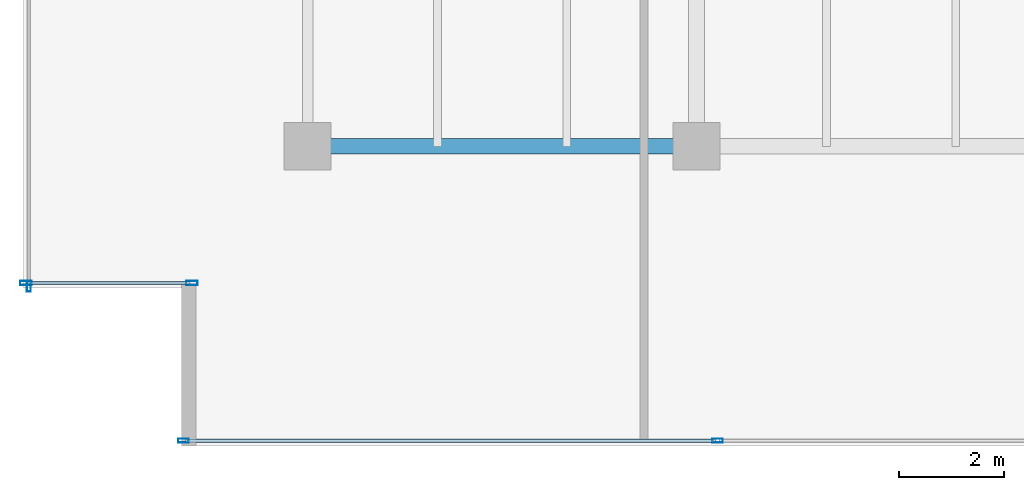
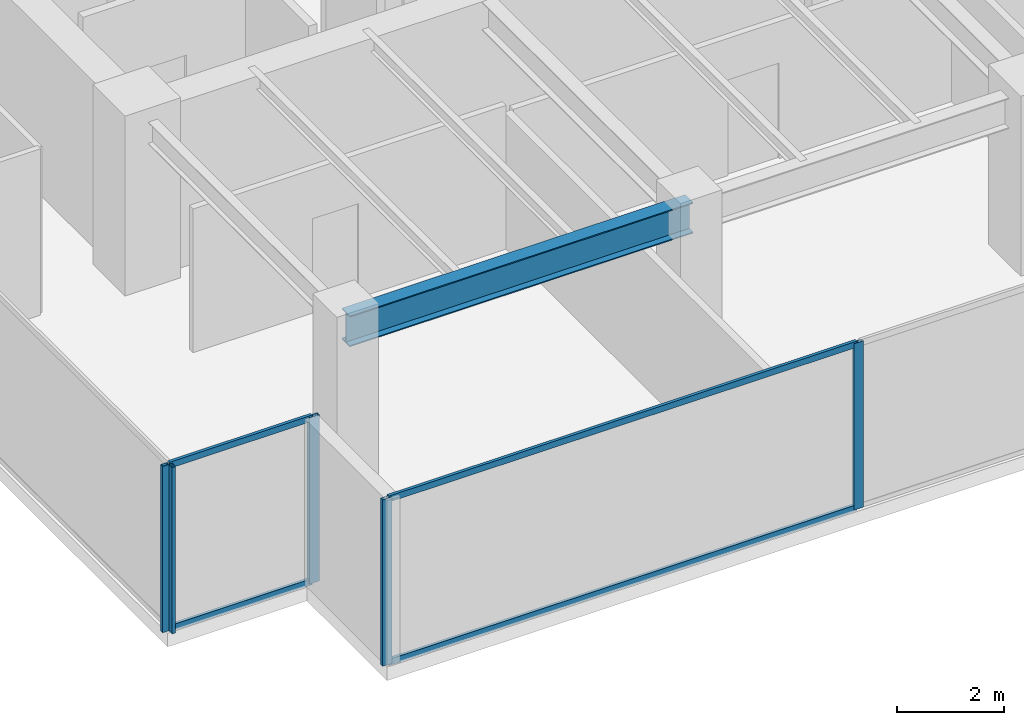
# One storey, part 2 of 30: 9 members, 1 beam, 3 elements without a shape of their own.
"""IFC4 building model written with IfcOpenShell, lengths in metres."""

from ifc_helpers import new_model, si_unit, direction, frame, origin, origin_2d, place, context, subcontext, project, spatial, hollow_rectangle, i_section, extrude, source, transform, mapped, material, layer, layer_set, material_profile, profile_set, type_object, type_shapes, element, aggregate, save


model = new_model("IFC4")

# Units and contexts
model_context = context("Model", 3, precision=1e-05, world=origin(), true_north=direction((0.0, 1.0)))
body_context = subcontext(model_context, "Body", "Model", "MODEL_VIEW")
ifc_project = project(units=[si_unit("LENGTHUNIT", "METRE"), si_unit("AREAUNIT", "SQUARE_METRE"), si_unit("VOLUMEUNIT", "CUBIC_METRE"), si_unit("PLANEANGLEUNIT", "RADIAN"), si_unit("MASSUNIT", "GRAM", prefix="KILO")], contexts=[model_context])

# Site, building, storey
site_placement = place(None, origin())
site = spatial("IfcSite", under=ifc_project, at=site_placement, CompositionType="ELEMENT")
building_placement = place(site_placement, origin())
building = spatial("IfcBuilding", under=site, at=building_placement, Name="Haelvirn Gate Laboratories", CompositionType="ELEMENT")
storey_placement = place(building_placement, frame((0.0, 0.0, 125.60009765625)))
storey = spatial("IfcBuildingStorey", under=building, at=storey_placement, Name="L30", CompositionType="ELEMENT", Elevation=125.60009765625)

# Beam
ifc_material_1 = material(Name="Steel SM355", Category="steel")
ifc_material_profile_1 = material_profile(ifc_material_1, i_section(OverallWidth=0.300048828125, OverallDepth=0.699951171875, WebThickness=0.012939453125, FlangeThickness=0.02392578125, at=origin_2d()), Name="H-700x300x13x24")
ifc_profile_set_1 = profile_set([ifc_material_profile_1], Name="Steel SM355")
beam_type = type_object("IfcBeamType", Name="BM-G-700", PredefinedType="BEAM", material=ifc_profile_set_1)
shared_shape_1 = source(origin(), body_context, "Body", "SweptSolid", [
    extrude(i_section(OverallWidth=0.300048828125, OverallDepth=0.699951171875, WebThickness=0.012939453125, FlangeThickness=0.02392578125, at=origin_2d()), origin(), (0.0, 0.0, 1.0), 7.400146484375),
])
type_shapes(beam_type, [shared_shape_1])
beam_placement = place(storey_placement, frame((7.39990234375, 7.0, 3.43994140625), z_axis=(1.0, 0.0, 0.0), x_axis=(0.0, 1.0, 0.0)))
element("IfcBeam", 1, at=beam_placement, inside=storey, type_object=beam_type, Name="L30 Primary Girder Y7.0 (7.4-14.8)", PredefinedType="BEAM", context=body_context, shape_type="MappedRepresentation", body=[
    mapped(shared_shape_1, transform((0.0, 0.0, 0.0), scale=1.0)),
])

# Curtain wall, members
ifc_material_2 = material(Name="Anodised bronze unitised aluminium & triple low-E glass", Category="aluminium")
ifc_layer_1 = layer(ifc_material_2, 0.179931640625, Name="CW-SYS-3")
ifc_layer_set_1 = layer_set([ifc_layer_1], Name="Anodised bronze unitised aluminium & triple low-E glass")
curtain_wall_type_1 = type_object("IfcCurtainWallType", Name="CW-SYS-3", PredefinedType="NOTDEFINED", material=ifc_layer_set_1)
curtain_wall_1_placement = place(storey_placement, origin())
curtain_wall_1 = element("IfcCurtainWall", 2, at=curtain_wall_1_placement, inside=storey, type_object=curtain_wall_type_1, Name="L30 Unitised Curtain Wall CW-L30-P0-E00-1", PredefinedType="NOTDEFINED")
ifc_material_3 = material(Name="Extruded aluminium 6063-T6 (anodised bronze)", Category="aluminium")
ifc_material_profile_2 = material_profile(ifc_material_3, hollow_rectangle(XDim=0.06494140625, YDim=0.139892578125, WallThickness=0.00390625, at=origin_2d()), Name="CWT-140x65x4")
ifc_profile_set_2 = profile_set([ifc_material_profile_2], Name="Extruded aluminium 6063-T6 (anodised bronze)")
member_type_1 = type_object("IfcMemberType", Name="CWT-T140", PredefinedType="USERDEFINED", material=ifc_profile_set_2)
shared_shape_2 = source(origin(), body_context, "Body", "SweptSolid", [
    extrude(hollow_rectangle(XDim=0.06494140625, YDim=0.139892578125, WallThickness=0.00390625, at=origin_2d()), origin(), (0.0, 0.0, 1.0), 10.087646484375),
])
member_1_placement = place(storey_placement, frame((5.074951171875, 1.39990234375, 0.032470703125), z_axis=(1.0, 0.0, 0.0), x_axis=(0.0, 1.0, 0.0)))
member_1 = element("IfcMember", 3, at=member_1_placement, type_object=member_type_1, Name="CW3 transom 1.1", ObjectType="TRANSOM", PredefinedType="USERDEFINED", context=body_context, shape_type="MappedRepresentation", body=[
    mapped(shared_shape_2, transform((0.0, 0.0, 0.0), scale=1.0)),
])
member_2_placement = place(storey_placement, frame((5.074951171875, 1.39990234375, 3.75732421875), z_axis=(1.0, 0.0, 0.0), x_axis=(0.0, 1.0, 0.0)))
member_2 = element("IfcMember", 4, at=member_2_placement, type_object=member_type_1, Name="CW3 transom 1.2", ObjectType="TRANSOM", PredefinedType="USERDEFINED", context=body_context, shape_type="MappedRepresentation", body=[
    mapped(shared_shape_2, transform((0.0, 0.0, 0.0), scale=1.0)),
])

ifc_layer_2 = layer(ifc_material_2, 0.181884765625, Name="CW-SYS-5")
ifc_layer_set_2 = layer_set([ifc_layer_2], Name="Anodised bronze unitised aluminium & triple low-E glass")
curtain_wall_type_2 = type_object("IfcCurtainWallType", Name="CW-SYS-5", PredefinedType="NOTDEFINED", material=ifc_layer_set_2)
curtain_wall_2_placement = place(storey_placement, origin())
curtain_wall_2 = element("IfcCurtainWall", 5, at=curtain_wall_2_placement, inside=storey, type_object=curtain_wall_type_2, Name="L30 Unitised Curtain Wall CW-L30-P0-E18-1", PredefinedType="NOTDEFINED")
shared_shape_3 = source(origin(), body_context, "Body", "SweptSolid", [
    extrude(hollow_rectangle(XDim=0.06494140625, YDim=0.139892578125, WallThickness=0.00390625, at=origin_2d()), origin(), (0.0, 0.0, 1.0), 3.079833984375),
])
type_shapes(member_type_1, [shared_shape_2, shared_shape_3])
member_3_placement = place(storey_placement, frame((2.080078125, 4.39990234375, 0.032470703125), z_axis=(1.0, 0.0, 0.0), x_axis=(0.0, 1.0, 0.0)))
member_3 = element("IfcMember", 6, at=member_3_placement, type_object=member_type_1, Name="CW5 transom 1.1", ObjectType="TRANSOM", PredefinedType="USERDEFINED", context=body_context, shape_type="MappedRepresentation", body=[
    mapped(shared_shape_3, transform((0.0, 0.0, 0.0), scale=1.0)),
])
member_4_placement = place(storey_placement, frame((2.080078125, 4.39990234375, 3.75732421875), z_axis=(1.0, 0.0, 0.0), x_axis=(0.0, 1.0, 0.0)))
member_4 = element("IfcMember", 7, at=member_4_placement, type_object=member_type_1, Name="CW5 transom 1.2", ObjectType="TRANSOM", PredefinedType="USERDEFINED", context=body_context, shape_type="MappedRepresentation", body=[
    mapped(shared_shape_3, transform((0.0, 0.0, 0.0), scale=1.0)),
])

# Member
ifc_material_profile_3 = material_profile(ifc_material_3, hollow_rectangle(XDim=0.074951171875, YDim=0.199951171875, WallThickness=0.0048828125, at=origin_2d()), Name="CWM-200x75x5")
ifc_profile_set_3 = profile_set([ifc_material_profile_3], Name="Extruded aluminium 6063-T6 (anodised bronze)")
member_type_2 = type_object("IfcMemberType", Name="CWM-T200", PredefinedType="MULLION", material=ifc_profile_set_3)
shared_shape_4 = source(origin(), body_context, "Body", "SweptSolid", [
    extrude(hollow_rectangle(XDim=0.074951171875, YDim=0.199951171875, WallThickness=0.0048828125, at=origin_2d()), origin(), (0.0, 0.0, 1.0), 3.789794921875),
])
type_shapes(member_type_2, [shared_shape_4])
member_5_placement = place(storey_placement, frame((5.03759765625, 1.39990234375, 0.0), z_axis=(0.0, 0.0, 1.0), x_axis=(0.0, 1.0, 0.0)))
member_5 = element("IfcMember", 8, at=member_5_placement, type_object=member_type_2, Name="CW3 mullion 1", PredefinedType="MULLION", context=body_context, shape_type="MappedRepresentation", body=[
    mapped(shared_shape_4, transform((0.0, 0.0, 0.0), scale=1.0)),
])

member_6_placement = place(storey_placement, frame((15.199951171875, 1.39990234375, 0.0), z_axis=(0.0, 0.0, 1.0), x_axis=(0.0, 1.0, 0.0)))
member_6 = element("IfcMember", 9, at=member_6_placement, type_object=member_type_2, Name="CW3 mullion 2", PredefinedType="MULLION", context=body_context, shape_type="MappedRepresentation", body=[
    mapped(shared_shape_4, transform((0.0, 0.0, 0.0), scale=1.0)),
])

aggregate(curtain_wall_1, [member_5, member_6, member_1, member_2])

# Curtain wall, member
curtain_wall_3_placement = place(storey_placement, origin())
curtain_wall_3 = element("IfcCurtainWall", 10, at=curtain_wall_3_placement, inside=storey, type_object=curtain_wall_type_1, Name="L30 Unitised Curtain Wall CW-L30-P0-E17", PredefinedType="NOTDEFINED")
member_7_placement = place(storey_placement, frame((2.10009765625, 4.33740234375, 0.0), z_axis=(0.0, 0.0, 1.0), x_axis=(1.0, 0.0, 0.0)))
member_7 = element("IfcMember", 11, at=member_7_placement, type_object=member_type_2, Name="CW3 mullion 4", PredefinedType="MULLION", context=body_context, shape_type="MappedRepresentation", body=[
    mapped(shared_shape_4, transform((0.0, 0.0, 0.0), scale=1.0)),
])
aggregate(curtain_wall_3, [member_7])

# Member
ifc_material_profile_4 = material_profile(ifc_material_3, hollow_rectangle(XDim=0.080078125, YDim=0.219970703125, WallThickness=0.006103515625, at=origin_2d()), Name="CWM-220x80x6")
ifc_profile_set_4 = profile_set([ifc_material_profile_4], Name="Extruded aluminium 6063-T6 (anodised bronze)")
member_type_3 = type_object("IfcMemberType", Name="CWM-T220", PredefinedType="MULLION", material=ifc_profile_set_4)
shared_shape_5 = source(origin(), body_context, "Body", "SweptSolid", [
    extrude(hollow_rectangle(XDim=0.080078125, YDim=0.219970703125, WallThickness=0.006103515625, at=origin_2d()), origin(), (0.0, 0.0, 1.0), 3.789794921875),
])
type_shapes(member_type_3, [shared_shape_5])
member_8_placement = place(storey_placement, frame((2.0400390625, 4.39990234375, 0.0), z_axis=(0.0, 0.0, 1.0), x_axis=(0.0, 1.0, 0.0)))
member_8 = element("IfcMember", 12, at=member_8_placement, type_object=member_type_3, Name="CW5 mullion 1", PredefinedType="MULLION", context=body_context, shape_type="MappedRepresentation", body=[
    mapped(shared_shape_5, transform((0.0, 0.0, 0.0), scale=1.0)),
])

member_9_placement = place(storey_placement, frame((5.199951171875, 4.39990234375, 0.0), z_axis=(0.0, 0.0, 1.0), x_axis=(0.0, 1.0, 0.0)))
member_9 = element("IfcMember", 13, at=member_9_placement, type_object=member_type_3, Name="CW5 mullion 2", PredefinedType="MULLION", context=body_context, shape_type="MappedRepresentation", body=[
    mapped(shared_shape_5, transform((0.0, 0.0, 0.0), scale=1.0)),
])

aggregate(curtain_wall_2, [member_8, member_9, member_3, member_4])

save(model, "model.ifc")
